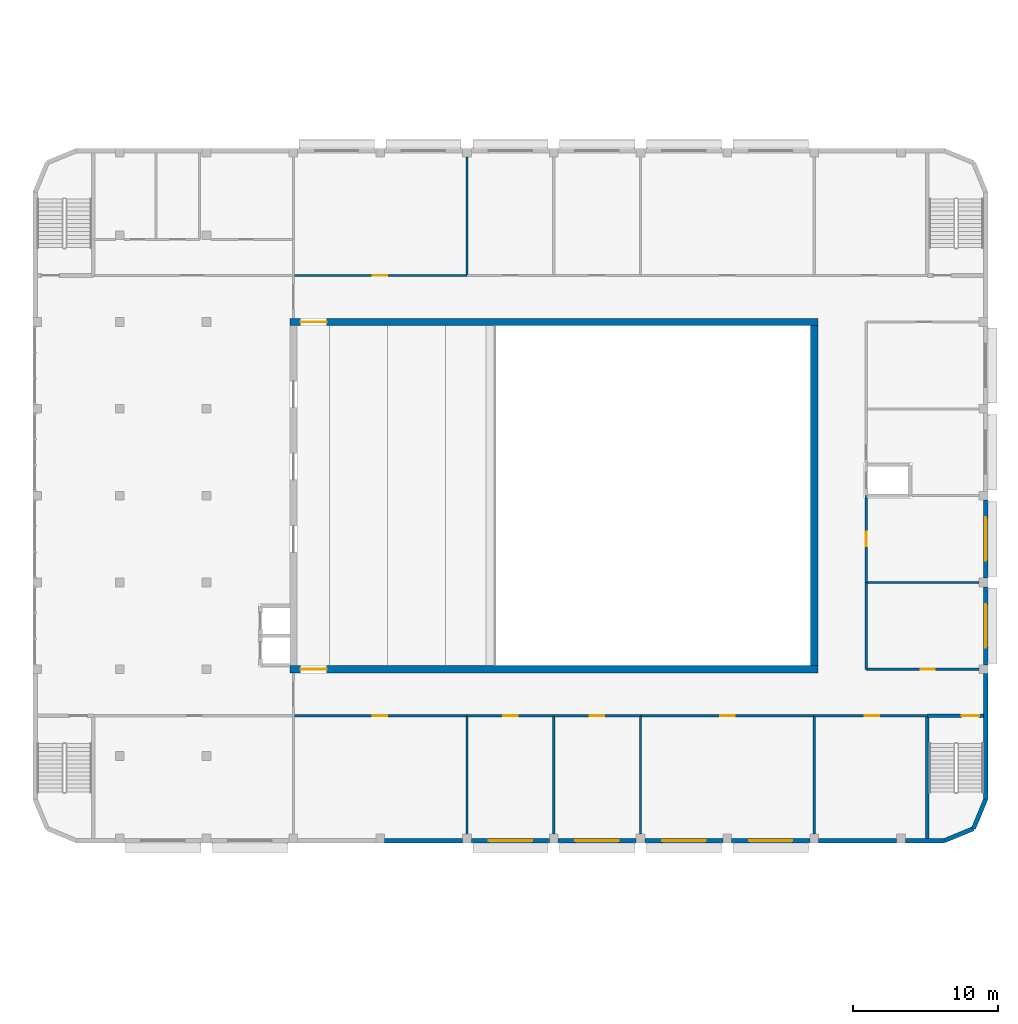
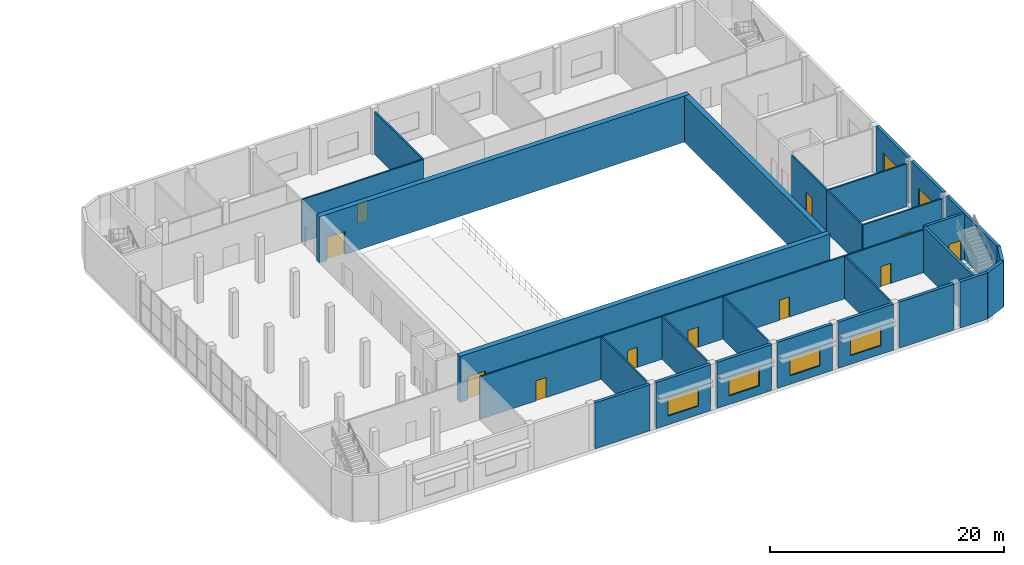
# One storey, part 24 of 45: 32 walls, 11 doors, 6 windows, 17 openings.
"""IFC4 building model written with IfcOpenShell, lengths in metres."""

from ifc_helpers import new_model, si_unit, direction, frame, frame_2d, origin, place, context, subcontext, project, spatial, rectangle, extrude, material, layer, layer_set, type_object, element, fill, save


model = new_model("IFC4")

# Units and contexts
model_context = context("Model", 3, precision=1e-05, world=origin(), true_north=direction((0.0, 1.0)))
body_context = subcontext(model_context, "Body", "Model", "MODEL_VIEW")
ifc_project = project(units=[si_unit("LENGTHUNIT", "METRE"), si_unit("AREAUNIT", "SQUARE_METRE"), si_unit("VOLUMEUNIT", "CUBIC_METRE"), si_unit("PLANEANGLEUNIT", "RADIAN"), si_unit("MASSUNIT", "GRAM", prefix="KILO")], contexts=[model_context])

# Site, building, storey
site_placement = place(None, origin())
site = spatial("IfcSite", under=ifc_project, at=site_placement, CompositionType="ELEMENT")
building_placement = place(site_placement, origin())
building = spatial("IfcBuilding", under=site, at=building_placement, Name="Nakaniwa Court", CompositionType="ELEMENT")
storey_placement = place(building_placement, frame((0.0, 0.0, 6.60009765625)))
storey = spatial("IfcBuildingStorey", under=building, at=storey_placement, Name="L01", CompositionType="ELEMENT", Elevation=6.60009765625)

# Wall, opening, door
ifc_material_1 = material(Name="Concrete C50/60", Category="concrete")
ifc_layer_1 = layer(ifc_material_1, 0.5)
ifc_layer_set_1 = layer_set([ifc_layer_1], Name="Concrete C50/60")
wall_type_1 = type_object("IfcWallType", Name="Auditorium acoustic mass wall RC 500", PredefinedType="SHEAR", material=ifc_layer_set_1)
wall_1_placement = place(storey_placement, frame((206.25, 68.0, 0.0), z_axis=(0.0, 0.0, 1.0), x_axis=(-1.0, 0.0, 0.0)))
wall_1 = element("IfcWall", 1, at=wall_1_placement, inside=storey, type_object=wall_type_1, Name="Auditorium south wall L01", PredefinedType="SHEAR", context=body_context, shape_type="SweptSolid", body=[
    extrude(rectangle(XDim=36.5, YDim=0.5, at=frame_2d((18.25, 0.0))), origin(), (0.0, 0.0, 1.0), 4.7998046875),
])
opening_1_placement = place(wall_1_placement, frame((33.949951171875, 0.0, 0.0)))
opening_1 = element("IfcOpeningElement", 2, at=opening_1_placement, cuts=wall_1, Name="Opening HD-77", PredefinedType="OPENING", context=body_context, shape_type="SweptSolid", body=[
    extrude(rectangle(XDim=1.800048828125, YDim=2.39990234375, at=frame_2d((0.89990234375, 1.199951171875))), frame((0.0, 0.260009765625, 0.0), z_axis=(0.0, -1.0, 0.0), x_axis=(1.0, 0.0, 0.0)), (0.0, 0.0, 1.0), 0.52001953125),
])
ifc_material_2 = material(Name="Acoustic solid-core timber double leaf in steel frame", Category="steel")
door_type_1 = type_object("IfcDoorType", Name="Hall acoustic double door 1800x2400", OperationType="DOUBLE_DOOR_SINGLE_SWING", PredefinedType="DOOR", material=ifc_material_2)
door_1_placement = place(opening_1_placement, origin())
door_1 = element("IfcDoor", 3, at=door_1_placement, inside=storey, type_object=door_type_1, Name="L01 door side-S1", OperationType="DOUBLE_DOOR_SINGLE_SWING", OverallHeight=2.39990234375, OverallWidth=1.800048828125, PredefinedType="DOOR", context=body_context, shape_type="SweptSolid", body=[
    extrude(rectangle(XDim=1.800048828125, YDim=2.39990234375, at=frame_2d((0.89990234375, 1.199951171875))), frame((0.0, 0.02490234375, 0.0), z_axis=(0.0, -1.0, 0.0), x_axis=(1.0, 0.0, 0.0)), (0.0, 0.0, 1.0), 0.050048828125),
])
fill(opening_1, door_1)

wall_2_placement = place(storey_placement, frame((169.75, 92.0, 0.0), z_axis=(0.0, 0.0, 1.0), x_axis=(1.0, 0.0, 0.0)))
wall_2 = element("IfcWall", 4, at=wall_2_placement, inside=storey, type_object=wall_type_1, Name="Auditorium north wall L01", PredefinedType="SHEAR", context=body_context, shape_type="SweptSolid", body=[
    extrude(rectangle(XDim=36.5, YDim=0.5, at=frame_2d((18.25, 0.0))), origin(), (0.0, 0.0, 1.0), 4.7998046875),
])
opening_2_placement = place(wall_2_placement, frame((0.75, 0.0, 0.0)))
opening_2 = element("IfcOpeningElement", 5, at=opening_2_placement, cuts=wall_2, Name="Opening HD-78", PredefinedType="OPENING", context=body_context, shape_type="SweptSolid", body=[
    extrude(rectangle(XDim=1.800048828125, YDim=2.39990234375, at=frame_2d((0.89990234375, 1.199951171875))), frame((0.0, 0.260009765625, 0.0), z_axis=(0.0, -1.0, 0.0), x_axis=(1.0, 0.0, 0.0)), (0.0, 0.0, 1.0), 0.52001953125),
])
door_2_placement = place(opening_2_placement, origin())
door_2 = element("IfcDoor", 6, at=door_2_placement, inside=storey, type_object=door_type_1, Name="L01 door side-N1", OperationType="DOUBLE_DOOR_SINGLE_SWING", OverallHeight=2.39990234375, OverallWidth=1.800048828125, PredefinedType="DOOR", context=body_context, shape_type="SweptSolid", body=[
    extrude(rectangle(XDim=1.800048828125, YDim=2.39990234375, at=frame_2d((0.89990234375, 1.199951171875))), frame((0.0, 0.02490234375, 0.0), z_axis=(0.0, -1.0, 0.0), x_axis=(1.0, 0.0, 0.0)), (0.0, 0.0, 1.0), 0.050048828125),
])
fill(opening_2, door_2)

# Wall
wall_3_placement = place(storey_placement, frame((206.0, 91.75, 0.0), z_axis=(0.0, 0.0, 1.0), x_axis=(0.0, -1.0, 0.0)))
element("IfcWall", 7, at=wall_3_placement, inside=storey, type_object=wall_type_1, Name="Auditorium east wall L01", PredefinedType="SHEAR", context=body_context, shape_type="SweptSolid", body=[
    extrude(rectangle(XDim=23.5, YDim=0.5, at=frame_2d((11.75, 0.0))), origin(), (0.0, 0.0, 1.0), 4.7998046875),
])

# Wall, opening, window
ifc_layer_2 = layer(ifc_material_1, 0.300048828125)
ifc_layer_set_2 = layer_set([ifc_layer_2], Name="Concrete C50/60")
wall_type_2 = type_object("IfcWallType", Name="Fair faced concrete wall 300", PredefinedType="SOLIDWALL", material=ifc_layer_set_2)
wall_4_placement = place(storey_placement, frame((217.85009765625, 79.699951171875, 0.0), z_axis=(0.0, 0.0, 1.0), x_axis=(0.0, -1.0, 0.0)))
wall_4 = element("IfcWall", 8, at=wall_4_placement, inside=storey, type_object=wall_type_2, Name="Facade wall L01 27", PredefinedType="SOLIDWALL", context=body_context, shape_type="SweptSolid", body=[
    extrude(rectangle(XDim=5.39990234375, YDim=0.300048828125, at=frame_2d((2.699951171875, 0.0))), origin(), (0.0, 0.0, 1.0), 4.7998046875),
])
opening_3_placement = place(wall_4_placement, frame((1.199951171875, 0.0, 0.89990234375)))
opening_3 = element("IfcOpeningElement", 9, at=opening_3_placement, cuts=wall_4, Name="Opening HWN-26", PredefinedType="OPENING", context=body_context, shape_type="SweptSolid", body=[
    extrude(rectangle(XDim=3.0, YDim=1.800048828125, at=frame_2d((1.5, 0.89990234375))), frame((0.0, 0.159912109375, 0.0), z_axis=(0.0, -1.0, 0.0), x_axis=(1.0, 0.0, 0.0)), (0.0, 0.0, 1.0), 0.320068359375),
])
ifc_material_3 = material(Name="Black powder-coated aluminium frame with dark glass", Category="aluminium")
window_type = type_object("IfcWindowType", Name="Hall window 3000x1800", PartitioningType="SINGLE_PANEL", PredefinedType="WINDOW", material=ifc_material_3)
window_1_placement = place(opening_3_placement, origin())
window_1 = element("IfcWindow", 10, at=window_1_placement, inside=storey, type_object=window_type, Name="Window L01:026", OverallHeight=1.800048828125, OverallWidth=3.0, PartitioningType="SINGLE_PANEL", PredefinedType="WINDOW", context=body_context, shape_type="SweptSolid", body=[
    extrude(rectangle(XDim=3.0, YDim=1.800048828125, at=frame_2d((1.5, 0.89990234375))), frame((0.0, 0.030029296875, 0.0), z_axis=(0.0, -1.0, 0.0), x_axis=(1.0, 0.0, 0.0)), (0.0, 0.0, 1.0), 0.06005859375),
])
fill(opening_3, window_1)

wall_5_placement = place(storey_placement, frame((217.85009765625, 73.699951171875, 0.0), z_axis=(0.0, 0.0, 1.0), x_axis=(0.0, -1.0, 0.0)))
wall_5 = element("IfcWall", 11, at=wall_5_placement, inside=storey, type_object=wall_type_2, Name="Facade wall L01 28", PredefinedType="SOLIDWALL", context=body_context, shape_type="SweptSolid", body=[
    extrude(rectangle(XDim=5.39990234375, YDim=0.300048828125, at=frame_2d((2.699951171875, 0.0))), origin(), (0.0, 0.0, 1.0), 4.7998046875),
])
opening_4_placement = place(wall_5_placement, frame((1.199951171875, 0.0, 0.89990234375)))
opening_4 = element("IfcOpeningElement", 12, at=opening_4_placement, cuts=wall_5, Name="Opening HWN-27", PredefinedType="OPENING", context=body_context, shape_type="SweptSolid", body=[
    extrude(rectangle(XDim=3.0, YDim=1.800048828125, at=frame_2d((1.5, 0.89990234375))), frame((0.0, 0.159912109375, 0.0), z_axis=(0.0, -1.0, 0.0), x_axis=(1.0, 0.0, 0.0)), (0.0, 0.0, 1.0), 0.320068359375),
])
window_2_placement = place(opening_4_placement, origin())
window_2 = element("IfcWindow", 13, at=window_2_placement, inside=storey, type_object=window_type, Name="Window L01:027", OverallHeight=1.800048828125, OverallWidth=3.0, PartitioningType="SINGLE_PANEL", PredefinedType="WINDOW", context=body_context, shape_type="SweptSolid", body=[
    extrude(rectangle(XDim=3.0, YDim=1.800048828125, at=frame_2d((1.5, 0.89990234375))), frame((0.0, 0.030029296875, 0.0), z_axis=(0.0, -1.0, 0.0), x_axis=(1.0, 0.0, 0.0)), (0.0, 0.0, 1.0), 0.06005859375),
])
fill(opening_4, window_2)

# Walls
wall_6_placement = place(storey_placement, frame((217.85009765625, 67.699951171875, 0.0), z_axis=(0.0, 0.0, 1.0), x_axis=(0.0, -1.0, 0.0)))
element("IfcWall", 14, at=wall_6_placement, inside=storey, type_object=wall_type_2, Name="Facade wall L01 29", PredefinedType="SOLIDWALL", context=body_context, shape_type="SweptSolid", body=[
    extrude(rectangle(XDim=8.699951171875, YDim=0.300048828125, at=frame_2d((4.35009765625, 0.0))), origin(), (0.0, 0.0, 1.0), 4.7998046875),
])
for number, where, z_axis, x_axis, name in (
    (15, (217.85009765625, 59.0, 0.0), (0.0, 0.0, 1.0), (-0.382651625058, -0.923892706888, 0.0), "Facade wall L01 30"),
    (16, (217.015380859375, 56.984619140625, 0.0), (0.0, 0.0, 1.0), (-0.923892706888, -0.382651625058, 0.0), "Facade wall L01 31"),
):
    element("IfcWall", number, at=place(storey_placement, frame(where, z_axis=z_axis, x_axis=x_axis)), inside=storey, type_object=wall_type_2, Name=name, PredefinedType="SOLIDWALL", context=body_context, shape_type="SweptSolid", body=[
        extrude(rectangle(XDim=2.181396484375, YDim=0.300048828125, at=frame_2d((1.0908203125, 0.0))), origin(), (0.0, 0.0, 1.0), 4.7998046875),
    ])
wall_7_placement = place(storey_placement, frame((215.0, 56.14990234375, 0.0), z_axis=(0.0, 0.0, 1.0), x_axis=(-1.0, 0.0, 0.0)))
element("IfcWall", 17, at=wall_7_placement, inside=storey, type_object=wall_type_2, Name="Facade wall L01 32", PredefinedType="SOLIDWALL", context=body_context, shape_type="SweptSolid", body=[
    extrude(rectangle(XDim=2.699951171875, YDim=0.300048828125, at=frame_2d((1.35009765625, 0.0))), origin(), (0.0, 0.0, 1.0), 4.7998046875),
])
wall_8_placement = place(storey_placement, frame((211.699951171875, 56.14990234375, 0.0), z_axis=(0.0, 0.0, 1.0), x_axis=(-1.0, 0.0, 0.0)))
element("IfcWall", 18, at=wall_8_placement, inside=storey, type_object=wall_type_2, Name="Facade wall L01 33", PredefinedType="SOLIDWALL", context=body_context, shape_type="SweptSolid", body=[
    extrude(rectangle(XDim=5.39990234375, YDim=0.300048828125, at=frame_2d((2.699951171875, 0.0))), origin(), (0.0, 0.0, 1.0), 4.7998046875),
])

# Wall, opening, window
wall_9_placement = place(storey_placement, frame((205.699951171875, 56.14990234375, 0.0), z_axis=(0.0, 0.0, 1.0), x_axis=(-1.0, 0.0, 0.0)))
wall_9 = element("IfcWall", 19, at=wall_9_placement, inside=storey, type_object=wall_type_2, Name="Facade wall L01 34", PredefinedType="SOLIDWALL", context=body_context, shape_type="SweptSolid", body=[
    extrude(rectangle(XDim=5.39990234375, YDim=0.300048828125, at=frame_2d((2.699951171875, 0.0))), origin(), (0.0, 0.0, 1.0), 4.7998046875),
])
opening_5_placement = place(wall_9_placement, frame((1.199951171875, 0.0, 0.89990234375)))
opening_5 = element("IfcOpeningElement", 20, at=opening_5_placement, cuts=wall_9, Name="Opening HWN-28", PredefinedType="OPENING", context=body_context, shape_type="SweptSolid", body=[
    extrude(rectangle(XDim=3.0, YDim=1.800048828125, at=frame_2d((1.5, 0.89990234375))), frame((0.0, 0.159912109375, 0.0), z_axis=(0.0, -1.0, 0.0), x_axis=(1.0, 0.0, 0.0)), (0.0, 0.0, 1.0), 0.320068359375),
])
window_3_placement = place(opening_5_placement, origin())
window_3 = element("IfcWindow", 21, at=window_3_placement, inside=storey, type_object=window_type, Name="Window L01:033", OverallHeight=1.800048828125, OverallWidth=3.0, PartitioningType="SINGLE_PANEL", PredefinedType="WINDOW", context=body_context, shape_type="SweptSolid", body=[
    extrude(rectangle(XDim=3.0, YDim=1.800048828125, at=frame_2d((1.5, 0.89990234375))), frame((0.0, 0.030029296875, 0.0), z_axis=(0.0, -1.0, 0.0), x_axis=(1.0, 0.0, 0.0)), (0.0, 0.0, 1.0), 0.06005859375),
])
fill(opening_5, window_3)

wall_10_placement = place(storey_placement, frame((199.699951171875, 56.14990234375, 0.0), z_axis=(0.0, 0.0, 1.0), x_axis=(-1.0, 0.0, 0.0)))
wall_10 = element("IfcWall", 22, at=wall_10_placement, inside=storey, type_object=wall_type_2, Name="Facade wall L01 35", PredefinedType="SOLIDWALL", context=body_context, shape_type="SweptSolid", body=[
    extrude(rectangle(XDim=5.39990234375, YDim=0.300048828125, at=frame_2d((2.699951171875, 0.0))), origin(), (0.0, 0.0, 1.0), 4.7998046875),
])
opening_6_placement = place(wall_10_placement, frame((1.199951171875, 0.0, 0.89990234375)))
opening_6 = element("IfcOpeningElement", 23, at=opening_6_placement, cuts=wall_10, Name="Opening HWN-29", PredefinedType="OPENING", context=body_context, shape_type="SweptSolid", body=[
    extrude(rectangle(XDim=3.0, YDim=1.800048828125, at=frame_2d((1.5, 0.89990234375))), frame((0.0, 0.159912109375, 0.0), z_axis=(0.0, -1.0, 0.0), x_axis=(1.0, 0.0, 0.0)), (0.0, 0.0, 1.0), 0.320068359375),
])
window_4_placement = place(opening_6_placement, origin())
window_4 = element("IfcWindow", 24, at=window_4_placement, inside=storey, type_object=window_type, Name="Window L01:034", OverallHeight=1.800048828125, OverallWidth=3.0, PartitioningType="SINGLE_PANEL", PredefinedType="WINDOW", context=body_context, shape_type="SweptSolid", body=[
    extrude(rectangle(XDim=3.0, YDim=1.800048828125, at=frame_2d((1.5, 0.89990234375))), frame((0.0, 0.030029296875, 0.0), z_axis=(0.0, -1.0, 0.0), x_axis=(1.0, 0.0, 0.0)), (0.0, 0.0, 1.0), 0.06005859375),
])
fill(opening_6, window_4)

wall_11_placement = place(storey_placement, frame((193.699951171875, 56.14990234375, 0.0), z_axis=(0.0, 0.0, 1.0), x_axis=(-1.0, 0.0, 0.0)))
wall_11 = element("IfcWall", 25, at=wall_11_placement, inside=storey, type_object=wall_type_2, Name="Facade wall L01 36", PredefinedType="SOLIDWALL", context=body_context, shape_type="SweptSolid", body=[
    extrude(rectangle(XDim=5.39990234375, YDim=0.300048828125, at=frame_2d((2.699951171875, 0.0))), origin(), (0.0, 0.0, 1.0), 4.7998046875),
])
opening_7_placement = place(wall_11_placement, frame((1.199951171875, 0.0, 0.89990234375)))
opening_7 = element("IfcOpeningElement", 26, at=opening_7_placement, cuts=wall_11, Name="Opening HWN-30", PredefinedType="OPENING", context=body_context, shape_type="SweptSolid", body=[
    extrude(rectangle(XDim=3.0, YDim=1.800048828125, at=frame_2d((1.5, 0.89990234375))), frame((0.0, 0.159912109375, 0.0), z_axis=(0.0, -1.0, 0.0), x_axis=(1.0, 0.0, 0.0)), (0.0, 0.0, 1.0), 0.320068359375),
])
window_5_placement = place(opening_7_placement, origin())
window_5 = element("IfcWindow", 27, at=window_5_placement, inside=storey, type_object=window_type, Name="Window L01:035", OverallHeight=1.800048828125, OverallWidth=3.0, PartitioningType="SINGLE_PANEL", PredefinedType="WINDOW", context=body_context, shape_type="SweptSolid", body=[
    extrude(rectangle(XDim=3.0, YDim=1.800048828125, at=frame_2d((1.5, 0.89990234375))), frame((0.0, 0.030029296875, 0.0), z_axis=(0.0, -1.0, 0.0), x_axis=(1.0, 0.0, 0.0)), (0.0, 0.0, 1.0), 0.06005859375),
])
fill(opening_7, window_5)

wall_12_placement = place(storey_placement, frame((187.699951171875, 56.14990234375, 0.0), z_axis=(0.0, 0.0, 1.0), x_axis=(-1.0, 0.0, 0.0)))
wall_12 = element("IfcWall", 28, at=wall_12_placement, inside=storey, type_object=wall_type_2, Name="Facade wall L01 37", PredefinedType="SOLIDWALL", context=body_context, shape_type="SweptSolid", body=[
    extrude(rectangle(XDim=5.39990234375, YDim=0.300048828125, at=frame_2d((2.699951171875, 0.0))), origin(), (0.0, 0.0, 1.0), 4.7998046875),
])
opening_8_placement = place(wall_12_placement, frame((1.199951171875, 0.0, 0.89990234375)))
opening_8 = element("IfcOpeningElement", 29, at=opening_8_placement, cuts=wall_12, Name="Opening HWN-31", PredefinedType="OPENING", context=body_context, shape_type="SweptSolid", body=[
    extrude(rectangle(XDim=3.0, YDim=1.800048828125, at=frame_2d((1.5, 0.89990234375))), frame((0.0, 0.159912109375, 0.0), z_axis=(0.0, -1.0, 0.0), x_axis=(1.0, 0.0, 0.0)), (0.0, 0.0, 1.0), 0.320068359375),
])
window_6_placement = place(opening_8_placement, origin())
window_6 = element("IfcWindow", 30, at=window_6_placement, inside=storey, type_object=window_type, Name="Window L01:036", OverallHeight=1.800048828125, OverallWidth=3.0, PartitioningType="SINGLE_PANEL", PredefinedType="WINDOW", context=body_context, shape_type="SweptSolid", body=[
    extrude(rectangle(XDim=3.0, YDim=1.800048828125, at=frame_2d((1.5, 0.89990234375))), frame((0.0, 0.030029296875, 0.0), z_axis=(0.0, -1.0, 0.0), x_axis=(1.0, 0.0, 0.0)), (0.0, 0.0, 1.0), 0.06005859375),
])
fill(opening_8, window_6)

# Walls
wall_13_placement = place(storey_placement, frame((181.699951171875, 56.14990234375, 0.0), z_axis=(0.0, 0.0, 1.0), x_axis=(-1.0, 0.0, 0.0)))
element("IfcWall", 31, at=wall_13_placement, inside=storey, type_object=wall_type_2, Name="Facade wall L01 38", PredefinedType="SOLIDWALL", context=body_context, shape_type="SweptSolid", body=[
    extrude(rectangle(XDim=5.39990234375, YDim=0.300048828125, at=frame_2d((2.699951171875, 0.0))), origin(), (0.0, 0.0, 1.0), 4.7998046875),
])
ifc_material_4 = material(Name="Concrete C40/50", Category="concrete")
ifc_layer_3 = layer(ifc_material_4, 0.25)
ifc_layer_set_3 = layer_set([ifc_layer_3], Name="Concrete C40/50")
wall_type_3 = type_object("IfcWallType", Name="Fire isolated shaft wall RC 250", PredefinedType="SOLIDWALL", material=ifc_layer_set_3)
wall_14_placement = place(storey_placement, frame((213.824951171875, 56.300048828125, 0.0), z_axis=(0.0, 0.0, 1.0), x_axis=(0.0, 1.0, 0.0)))
element("IfcWall", 32, at=wall_14_placement, inside=storey, type_object=wall_type_3, Name="L01 shaft wall 55", PredefinedType="SOLIDWALL", context=body_context, shape_type="SweptSolid", body=[
    extrude(rectangle(XDim=8.48486328125, YDim=0.25, at=frame_2d((4.242431640625, 0.0))), origin(), (0.0, 0.0, 1.0), 4.7998046875),
])

# Wall, opening, door
wall_15_placement = place(storey_placement, frame((217.699951171875, 64.784912109375, 0.0), z_axis=(0.0, 0.0, 1.0), x_axis=(-1.0, 0.0, 0.0)))
wall_15 = element("IfcWall", 33, at=wall_15_placement, inside=storey, type_object=wall_type_3, Name="L01 shaft wall 56", PredefinedType="SOLIDWALL", context=body_context, shape_type="SweptSolid", body=[
    extrude(rectangle(XDim=3.875, YDim=0.25, at=frame_2d((1.9375, 0.0))), origin(), (0.0, 0.0, 1.0), 4.7998046875),
])
opening_9_placement = place(wall_15_placement, frame((0.300048828125, 0.0, 0.0)))
opening_9 = element("IfcOpeningElement", 34, at=opening_9_placement, cuts=wall_15, Name="Opening HD-72", PredefinedType="OPENING", context=body_context, shape_type="SweptSolid", body=[
    extrude(rectangle(XDim=1.199951171875, YDim=2.10009765625, at=frame_2d((0.60009765625, 1.050048828125))), frame((0.0, 0.135009765625, 0.0), z_axis=(0.0, -1.0, 0.0), x_axis=(1.0, 0.0, 0.0)), (0.0, 0.0, 1.0), 0.27001953125),
])
ifc_material_5 = material(Name="Insulated steel door leaf in steel frame", Category="steel")
door_type_2 = type_object("IfcDoorType", Name="Hall stair door 1200x2100", OperationType="SINGLE_SWING_LEFT", PredefinedType="DOOR", material=ifc_material_5)
door_3_placement = place(opening_9_placement, origin())
door_3 = element("IfcDoor", 35, at=door_3_placement, inside=storey, type_object=door_type_2, Name="L01 door Exit-stair-H3", OperationType="SINGLE_SWING_LEFT", OverallHeight=2.10009765625, OverallWidth=1.199951171875, PredefinedType="DOOR", context=body_context, shape_type="SweptSolid", body=[
    extrude(rectangle(XDim=1.199951171875, YDim=2.10009765625, at=frame_2d((0.60009765625, 1.050048828125))), frame((0.0, 0.02490234375, 0.0), z_axis=(0.0, -1.0, 0.0), x_axis=(1.0, 0.0, 0.0)), (0.0, 0.0, 1.0), 0.050048828125),
])
fill(opening_9, door_3)

ifc_material_6 = material(Name="Steel stud plasterboard partition", Category="steel")
ifc_layer_4 = layer(ifc_material_6, 0.14990234375)
ifc_layer_set_4 = layer_set([ifc_layer_4], Name="Steel stud plasterboard partition")
wall_type_4 = type_object("IfcWallType", Name="Partition 150", PredefinedType="PARTITIONING", material=ifc_layer_set_4)
wall_16_placement = place(storey_placement, frame((182.0, 64.784912109375, 0.0), z_axis=(0.0, 0.0, 1.0), x_axis=(-1.0, 0.0, 0.0)))
wall_16 = element("IfcWall", 36, at=wall_16_placement, inside=storey, type_object=wall_type_4, Name="L01 partition wall 20", PredefinedType="PARTITIONING", context=body_context, shape_type="SweptSolid", body=[
    extrude(rectangle(XDim=12.0, YDim=0.14990234375, at=frame_2d((6.0, 0.0))), origin(), (0.0, 0.0, 1.0), 4.449951171875),
])
opening_10_placement = place(wall_16_placement, frame((5.5, 0.0, 0.0)))
opening_10 = element("IfcOpeningElement", 37, at=opening_10_placement, cuts=wall_16, Name="Opening HD-56", PredefinedType="OPENING", context=body_context, shape_type="SweptSolid", body=[
    extrude(rectangle(XDim=1.0, YDim=2.10009765625, at=frame_2d((0.5, 1.050048828125))), frame((0.0, 0.0849609375, 0.0), z_axis=(0.0, -1.0, 0.0), x_axis=(1.0, 0.0, 0.0)), (0.0, 0.0, 1.0), 0.169921875),
])
ifc_material_7 = material(Name="Solid-core timber door leaf in steel frame", Category="steel")
door_type_3 = type_object("IfcDoorType", Name="Hall door 1000x2100", OperationType="SINGLE_SWING_LEFT", PredefinedType="DOOR", material=ifc_material_7)
door_4_placement = place(opening_10_placement, origin())
door_4 = element("IfcDoor", 38, at=door_4_placement, inside=storey, type_object=door_type_3, Name="L01 door Beverage-preparation-room", OperationType="SINGLE_SWING_LEFT", OverallHeight=2.10009765625, OverallWidth=1.0, PredefinedType="DOOR", context=body_context, shape_type="SweptSolid", body=[
    extrude(rectangle(XDim=1.0, YDim=2.10009765625, at=frame_2d((0.5, 1.050048828125))), frame((0.0, 0.02490234375, 0.0), z_axis=(0.0, -1.0, 0.0), x_axis=(1.0, 0.0, 0.0)), (0.0, 0.0, 1.0), 0.050048828125),
])
fill(opening_10, door_4)

wall_17_placement = place(storey_placement, frame((170.0, 95.215087890625, 0.0), z_axis=(0.0, 0.0, 1.0), x_axis=(1.0, 0.0, 0.0)))
wall_17 = element("IfcWall", 39, at=wall_17_placement, inside=storey, type_object=wall_type_4, Name="L01 partition wall 23", PredefinedType="PARTITIONING", context=body_context, shape_type="SweptSolid", body=[
    extrude(rectangle(XDim=12.0, YDim=0.14990234375, at=frame_2d((6.0, 0.0))), origin(), (0.0, 0.0, 1.0), 4.449951171875),
])
opening_11_placement = place(wall_17_placement, frame((5.5, 0.0, 0.0)))
opening_11 = element("IfcOpeningElement", 40, at=opening_11_placement, cuts=wall_17, Name="Opening HD-59", PredefinedType="OPENING", context=body_context, shape_type="SweptSolid", body=[
    extrude(rectangle(XDim=1.0, YDim=2.10009765625, at=frame_2d((0.5, 1.050048828125))), frame((0.0, 0.0849609375, 0.0), z_axis=(0.0, -1.0, 0.0), x_axis=(1.0, 0.0, 0.0)), (0.0, 0.0, 1.0), 0.169921875),
])
door_5_placement = place(opening_11_placement, origin())
door_5 = element("IfcDoor", 41, at=door_5_placement, inside=storey, type_object=door_type_3, Name="L01 door Catering-kitchen", OperationType="SINGLE_SWING_RIGHT", OverallHeight=2.10009765625, OverallWidth=1.0, PredefinedType="DOOR", context=body_context, shape_type="SweptSolid", body=[
    extrude(rectangle(XDim=1.0, YDim=2.10009765625, at=frame_2d((0.5, 1.050048828125))), frame((0.0, 0.02490234375, 0.0), z_axis=(0.0, -1.0, 0.0), x_axis=(1.0, 0.0, 0.0)), (0.0, 0.0, 1.0), 0.050048828125),
])
fill(opening_11, door_5)

# Wall
wall_18_placement = place(storey_placement, frame((182.0, 64.784912109375, 0.0), z_axis=(0.0, 0.0, 1.0), x_axis=(0.0, -1.0, 0.0)))
element("IfcWall", 42, at=wall_18_placement, inside=storey, type_object=wall_type_4, Name="L01 partition wall 26", PredefinedType="PARTITIONING", context=body_context, shape_type="SweptSolid", body=[
    extrude(rectangle(XDim=8.184814453125, YDim=0.14990234375, at=frame_2d((4.09228515625, 0.0))), origin(), (0.0, 0.0, 1.0), 4.449951171875),
])

# Wall, opening, door
wall_19_placement = place(storey_placement, frame((188.0, 64.784912109375, 0.0), z_axis=(0.0, 0.0, 1.0), x_axis=(-1.0, 0.0, 0.0)))
wall_19 = element("IfcWall", 43, at=wall_19_placement, inside=storey, type_object=wall_type_4, Name="L01 partition wall 27", PredefinedType="PARTITIONING", context=body_context, shape_type="SweptSolid", body=[
    extrude(rectangle(XDim=6.0, YDim=0.14990234375, at=frame_2d((3.0, 0.0))), origin(), (0.0, 0.0, 1.0), 4.449951171875),
])
opening_12_placement = place(wall_19_placement, frame((2.5, 0.0, 0.0)))
opening_12 = element("IfcOpeningElement", 44, at=opening_12_placement, cuts=wall_19, Name="Opening HD-60", PredefinedType="OPENING", context=body_context, shape_type="SweptSolid", body=[
    extrude(rectangle(XDim=1.0, YDim=2.10009765625, at=frame_2d((0.5, 1.050048828125))), frame((0.0, 0.0849609375, 0.0), z_axis=(0.0, -1.0, 0.0), x_axis=(1.0, 0.0, 0.0)), (0.0, 0.0, 1.0), 0.169921875),
])
door_6_placement = place(opening_12_placement, origin())
door_6 = element("IfcDoor", 45, at=door_6_placement, inside=storey, type_object=door_type_3, Name="L01 door Sound-control-room", OperationType="SINGLE_SWING_RIGHT", OverallHeight=2.10009765625, OverallWidth=1.0, PredefinedType="DOOR", context=body_context, shape_type="SweptSolid", body=[
    extrude(rectangle(XDim=1.0, YDim=2.10009765625, at=frame_2d((0.5, 1.050048828125))), frame((0.0, 0.02490234375, 0.0), z_axis=(0.0, -1.0, 0.0), x_axis=(1.0, 0.0, 0.0)), (0.0, 0.0, 1.0), 0.050048828125),
])
fill(opening_12, door_6)

# Walls
for number, where, z_axis, x_axis, name in (
    (46, (182.0, 103.39990234375, 0.0), (0.0, 0.0, 1.0), (0.0, -1.0, 0.0), "L01 partition wall 29"),
    (47, (188.0, 64.784912109375, 0.0), (0.0, 0.0, 1.0), (0.0, -1.0, 0.0), "L01 partition wall 30"),
):
    element("IfcWall", number, at=place(storey_placement, frame(where, z_axis=z_axis, x_axis=x_axis)), inside=storey, type_object=wall_type_4, Name=name, PredefinedType="PARTITIONING", context=body_context, shape_type="SweptSolid", body=[
        extrude(rectangle(XDim=8.184814453125, YDim=0.14990234375, at=frame_2d((4.09228515625, 0.0))), origin(), (0.0, 0.0, 1.0), 4.449951171875),
    ])

# Wall, opening, door
wall_20_placement = place(storey_placement, frame((194.0, 64.784912109375, 0.0), z_axis=(0.0, 0.0, 1.0), x_axis=(-1.0, 0.0, 0.0)))
wall_20 = element("IfcWall", 48, at=wall_20_placement, inside=storey, type_object=wall_type_4, Name="L01 partition wall 31", PredefinedType="PARTITIONING", context=body_context, shape_type="SweptSolid", body=[
    extrude(rectangle(XDim=6.0, YDim=0.14990234375, at=frame_2d((3.0, 0.0))), origin(), (0.0, 0.0, 1.0), 4.449951171875),
])
opening_13_placement = place(wall_20_placement, frame((2.5, 0.0, 0.0)))
opening_13 = element("IfcOpeningElement", 49, at=opening_13_placement, cuts=wall_20, Name="Opening HD-62", PredefinedType="OPENING", context=body_context, shape_type="SweptSolid", body=[
    extrude(rectangle(XDim=1.0, YDim=2.10009765625, at=frame_2d((0.5, 1.050048828125))), frame((0.0, 0.0849609375, 0.0), z_axis=(0.0, -1.0, 0.0), x_axis=(1.0, 0.0, 0.0)), (0.0, 0.0, 1.0), 0.169921875),
])
door_7_placement = place(opening_13_placement, origin())
door_7 = element("IfcDoor", 50, at=door_7_placement, inside=storey, type_object=door_type_3, Name="L01 door Lighting-control-room", OperationType="SINGLE_SWING_LEFT", OverallHeight=2.10009765625, OverallWidth=1.0, PredefinedType="DOOR", context=body_context, shape_type="SweptSolid", body=[
    extrude(rectangle(XDim=1.0, YDim=2.10009765625, at=frame_2d((0.5, 1.050048828125))), frame((0.0, 0.02490234375, 0.0), z_axis=(0.0, -1.0, 0.0), x_axis=(1.0, 0.0, 0.0)), (0.0, 0.0, 1.0), 0.050048828125),
])
fill(opening_13, door_7)

# Wall
wall_21_placement = place(storey_placement, frame((194.0, 64.784912109375, 0.0), z_axis=(0.0, 0.0, 1.0), x_axis=(0.0, -1.0, 0.0)))
element("IfcWall", 51, at=wall_21_placement, inside=storey, type_object=wall_type_4, Name="L01 partition wall 34", PredefinedType="PARTITIONING", context=body_context, shape_type="SweptSolid", body=[
    extrude(rectangle(XDim=8.184814453125, YDim=0.14990234375, at=frame_2d((4.09228515625, 0.0))), origin(), (0.0, 0.0, 1.0), 4.449951171875),
])

# Wall, opening, door
wall_22_placement = place(storey_placement, frame((206.0, 64.784912109375, 0.0), z_axis=(0.0, 0.0, 1.0), x_axis=(-1.0, 0.0, 0.0)))
wall_22 = element("IfcWall", 52, at=wall_22_placement, inside=storey, type_object=wall_type_4, Name="L01 partition wall 35", PredefinedType="PARTITIONING", context=body_context, shape_type="SweptSolid", body=[
    extrude(rectangle(XDim=12.0, YDim=0.14990234375, at=frame_2d((6.0, 0.0))), origin(), (0.0, 0.0, 1.0), 4.449951171875),
])
opening_14_placement = place(wall_22_placement, frame((5.5, 0.0, 0.0)))
opening_14 = element("IfcOpeningElement", 53, at=opening_14_placement, cuts=wall_22, Name="Opening HD-64", PredefinedType="OPENING", context=body_context, shape_type="SweptSolid", body=[
    extrude(rectangle(XDim=1.0, YDim=2.10009765625, at=frame_2d((0.5, 1.050048828125))), frame((0.0, 0.0849609375, 0.0), z_axis=(0.0, -1.0, 0.0), x_axis=(1.0, 0.0, 0.0)), (0.0, 0.0, 1.0), 0.169921875),
])
door_8_placement = place(opening_14_placement, origin())
door_8 = element("IfcDoor", 54, at=door_8_placement, inside=storey, type_object=door_type_3, Name="L01 door Orchestra-managers-suite", OperationType="SINGLE_SWING_RIGHT", OverallHeight=2.10009765625, OverallWidth=1.0, PredefinedType="DOOR", context=body_context, shape_type="SweptSolid", body=[
    extrude(rectangle(XDim=1.0, YDim=2.10009765625, at=frame_2d((0.5, 1.050048828125))), frame((0.0, 0.02490234375, 0.0), z_axis=(0.0, -1.0, 0.0), x_axis=(1.0, 0.0, 0.0)), (0.0, 0.0, 1.0), 0.050048828125),
])
fill(opening_14, door_8)

# Wall
wall_23_placement = place(storey_placement, frame((206.0, 64.784912109375, 0.0), z_axis=(0.0, 0.0, 1.0), x_axis=(0.0, -1.0, 0.0)))
element("IfcWall", 55, at=wall_23_placement, inside=storey, type_object=wall_type_4, Name="L01 partition wall 38", PredefinedType="PARTITIONING", context=body_context, shape_type="SweptSolid", body=[
    extrude(rectangle(XDim=8.184814453125, YDim=0.14990234375, at=frame_2d((4.09228515625, 0.0))), origin(), (0.0, 0.0, 1.0), 4.449951171875),
])

# Wall, opening, door
wall_24_placement = place(storey_placement, frame((213.824951171875, 64.784912109375, 0.0), z_axis=(0.0, 0.0, 1.0), x_axis=(-1.0, 0.0, 0.0)))
wall_24 = element("IfcWall", 56, at=wall_24_placement, inside=storey, type_object=wall_type_4, Name="L01 partition wall 39", PredefinedType="PARTITIONING", context=body_context, shape_type="SweptSolid", body=[
    extrude(rectangle(XDim=7.824951171875, YDim=0.14990234375, at=frame_2d((3.91259765625, 0.0))), origin(), (0.0, 0.0, 1.0), 4.449951171875),
])
opening_15_placement = place(wall_24_placement, frame((3.324951171875, 0.0, 0.0)))
opening_15 = element("IfcOpeningElement", 57, at=opening_15_placement, cuts=wall_24, Name="Opening HD-66", PredefinedType="OPENING", context=body_context, shape_type="SweptSolid", body=[
    extrude(rectangle(XDim=1.0, YDim=2.10009765625, at=frame_2d((0.5, 1.050048828125))), frame((0.0, 0.0849609375, 0.0), z_axis=(0.0, -1.0, 0.0), x_axis=(1.0, 0.0, 0.0)), (0.0, 0.0, 1.0), 0.169921875),
])
door_9_placement = place(opening_15_placement, origin())
door_9 = element("IfcDoor", 58, at=door_9_placement, inside=storey, type_object=door_type_3, Name="L01 door Costume-workroom-and-wardrobe", OperationType="SINGLE_SWING_LEFT", OverallHeight=2.10009765625, OverallWidth=1.0, PredefinedType="DOOR", context=body_context, shape_type="SweptSolid", body=[
    extrude(rectangle(XDim=1.0, YDim=2.10009765625, at=frame_2d((0.5, 1.050048828125))), frame((0.0, 0.02490234375, 0.0), z_axis=(0.0, -1.0, 0.0), x_axis=(1.0, 0.0, 0.0)), (0.0, 0.0, 1.0), 0.050048828125),
])
fill(opening_15, door_9)

# Wall
wall_25_placement = place(storey_placement, frame((209.60009765625, 74.0, 0.0), z_axis=(0.0, 0.0, 1.0), x_axis=(1.0, 0.0, 0.0)))
element("IfcWall", 59, at=wall_25_placement, inside=storey, type_object=wall_type_4, Name="L01 partition wall 42", PredefinedType="PARTITIONING", context=body_context, shape_type="SweptSolid", body=[
    extrude(rectangle(XDim=7.7998046875, YDim=0.14990234375, at=frame_2d((3.89990234375, 0.0))), origin(), (0.0, 0.0, 1.0), 4.449951171875),
])

# Wall, opening, door
wall_26_placement = place(storey_placement, frame((209.60009765625, 80.0, 0.0), z_axis=(0.0, 0.0, 1.0), x_axis=(0.0, -1.0, 0.0)))
wall_26 = element("IfcWall", 60, at=wall_26_placement, inside=storey, type_object=wall_type_4, Name="L01 partition wall 43", PredefinedType="PARTITIONING", context=body_context, shape_type="SweptSolid", body=[
    extrude(rectangle(XDim=6.0, YDim=0.14990234375, at=frame_2d((3.0, 0.0))), origin(), (0.0, 0.0, 1.0), 4.449951171875),
])
opening_16_placement = place(wall_26_placement, frame((2.5, 0.0, 0.0)))
opening_16 = element("IfcOpeningElement", 61, at=opening_16_placement, cuts=wall_26, Name="Opening HD-68", PredefinedType="OPENING", context=body_context, shape_type="SweptSolid", body=[
    extrude(rectangle(XDim=1.0, YDim=2.10009765625, at=frame_2d((0.5, 1.050048828125))), frame((0.0, 0.0849609375, 0.0), z_axis=(0.0, -1.0, 0.0), x_axis=(1.0, 0.0, 0.0)), (0.0, 0.0, 1.0), 0.169921875),
])
door_10_placement = place(opening_16_placement, origin())
door_10 = element("IfcDoor", 62, at=door_10_placement, inside=storey, type_object=door_type_3, Name="L01 door Dressing-room-2", OperationType="SINGLE_SWING_RIGHT", OverallHeight=2.10009765625, OverallWidth=1.0, PredefinedType="DOOR", context=body_context, shape_type="SweptSolid", body=[
    extrude(rectangle(XDim=1.0, YDim=2.10009765625, at=frame_2d((0.5, 1.050048828125))), frame((0.0, 0.02490234375, 0.0), z_axis=(0.0, -1.0, 0.0), x_axis=(1.0, 0.0, 0.0)), (0.0, 0.0, 1.0), 0.050048828125),
])
fill(opening_16, door_10)

# Wall
wall_27_placement = place(storey_placement, frame((209.60009765625, 74.0, 0.0), z_axis=(0.0, 0.0, 1.0), x_axis=(0.0, -1.0, 0.0)))
element("IfcWall", 63, at=wall_27_placement, inside=storey, type_object=wall_type_4, Name="L01 partition wall 44", PredefinedType="PARTITIONING", context=body_context, shape_type="SweptSolid", body=[
    extrude(rectangle(XDim=6.0, YDim=0.14990234375, at=frame_2d((3.0, 0.0))), origin(), (0.0, 0.0, 1.0), 4.449951171875),
])

# Wall, opening, door
wall_28_placement = place(storey_placement, frame((209.60009765625, 68.0, 0.0), z_axis=(0.0, 0.0, 1.0), x_axis=(1.0, 0.0, 0.0)))
wall_28 = element("IfcWall", 64, at=wall_28_placement, inside=storey, type_object=wall_type_4, Name="L01 partition wall 45", PredefinedType="PARTITIONING", context=body_context, shape_type="SweptSolid", body=[
    extrude(rectangle(XDim=7.7998046875, YDim=0.14990234375, at=frame_2d((3.89990234375, 0.0))), origin(), (0.0, 0.0, 1.0), 4.449951171875),
])
opening_17_placement = place(wall_28_placement, frame((3.75, 0.0, 0.0)))
opening_17 = element("IfcOpeningElement", 65, at=opening_17_placement, cuts=wall_28, Name="Opening HD-69", PredefinedType="OPENING", context=body_context, shape_type="SweptSolid", body=[
    extrude(rectangle(XDim=1.0, YDim=2.10009765625, at=frame_2d((0.5, 1.050048828125))), frame((0.0, 0.0849609375, 0.0), z_axis=(0.0, -1.0, 0.0), x_axis=(1.0, 0.0, 0.0)), (0.0, 0.0, 1.0), 0.169921875),
])
door_11_placement = place(opening_17_placement, origin())
door_11 = element("IfcDoor", 66, at=door_11_placement, inside=storey, type_object=door_type_3, Name="L01 door Dressing-room-1", OperationType="SINGLE_SWING_LEFT", OverallHeight=2.10009765625, OverallWidth=1.0, PredefinedType="DOOR", context=body_context, shape_type="SweptSolid", body=[
    extrude(rectangle(XDim=1.0, YDim=2.10009765625, at=frame_2d((0.5, 1.050048828125))), frame((0.0, 0.02490234375, 0.0), z_axis=(0.0, -1.0, 0.0), x_axis=(1.0, 0.0, 0.0)), (0.0, 0.0, 1.0), 0.050048828125),
])
fill(opening_17, door_11)

save(model, "model.ifc")
